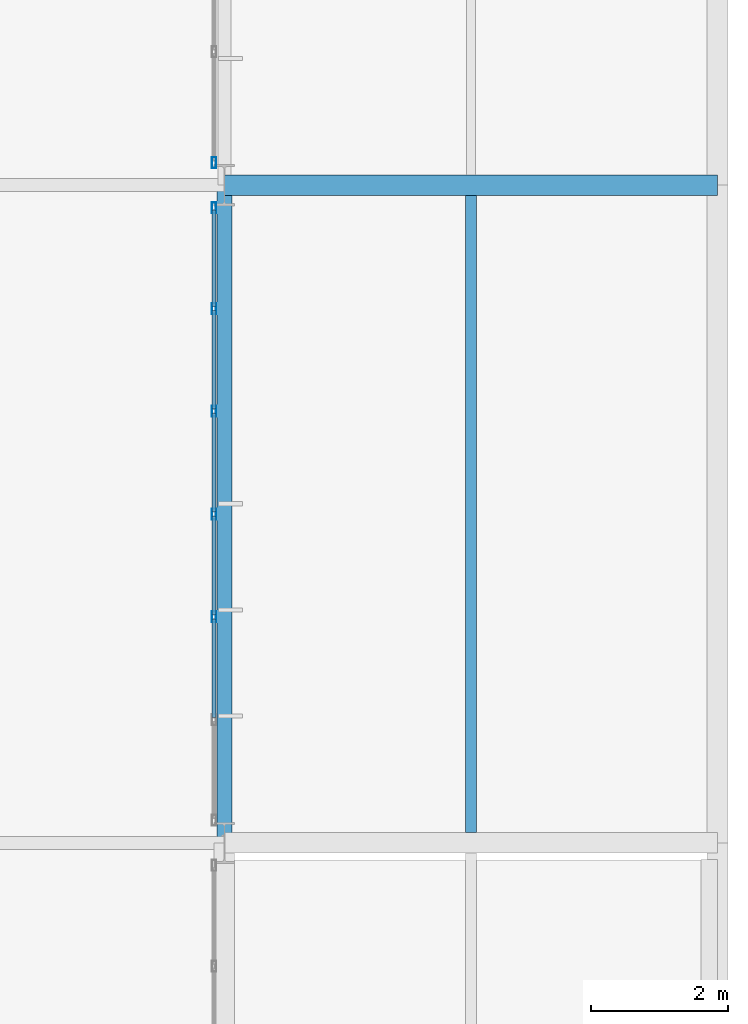
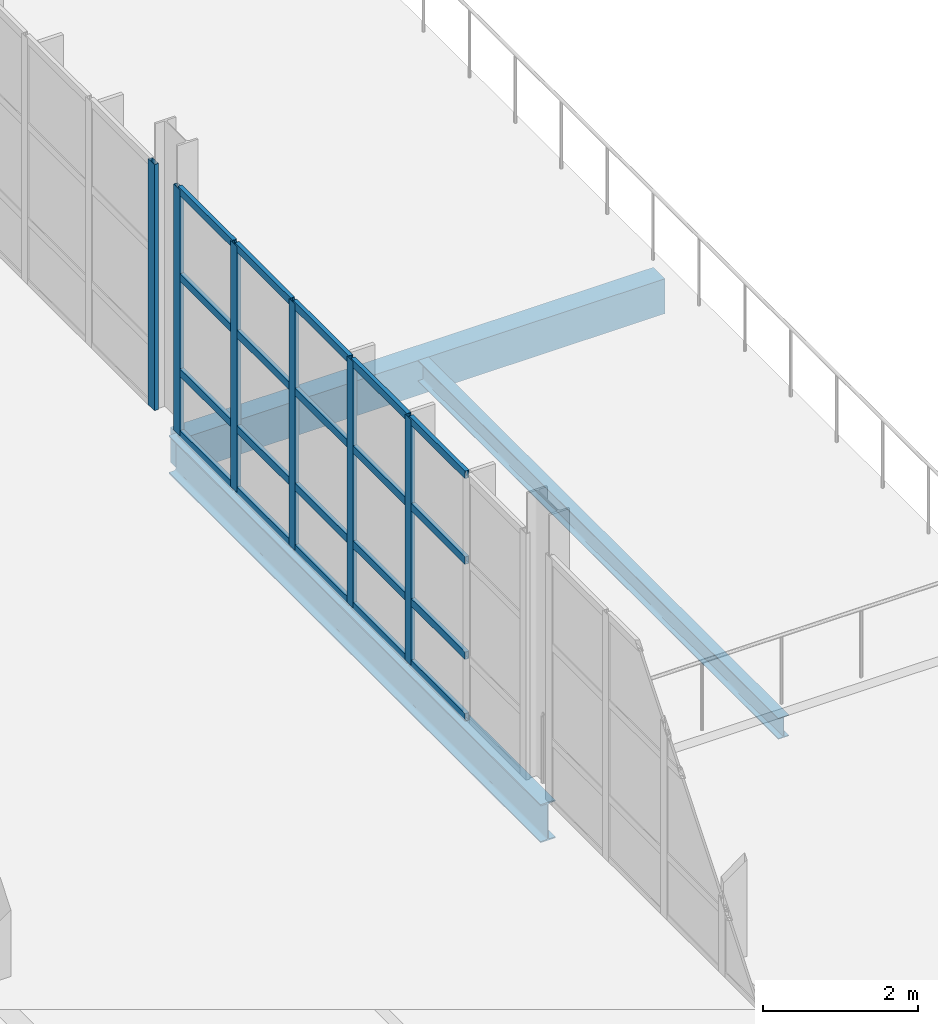
# One storey, part 71 of 109: 26 members, 3 beams, 2 elements without a shape of their own.
"""IFC4 building model written with IfcOpenShell, lengths in metres."""

from ifc_helpers import new_model, si_unit, direction, frame, origin, origin_2d, place, context, subcontext, project, spatial, rectangle, hollow_rectangle, i_section, extrude, material, material_profile, profile_set, type_object, element, aggregate, save


model = new_model("IFC4")

# Units and contexts
model_context = context("Model", 3, precision=1e-05, world=origin(), true_north=direction((0.0, 1.0)))
body_context = subcontext(model_context, "Body", "Model", "MODEL_VIEW")
ifc_project = project(units=[si_unit("LENGTHUNIT", "METRE"), si_unit("AREAUNIT", "SQUARE_METRE"), si_unit("VOLUMEUNIT", "CUBIC_METRE"), si_unit("PLANEANGLEUNIT", "RADIAN"), si_unit("MASSUNIT", "GRAM", prefix="KILO")], contexts=[model_context])

# Site, building, storey
site_placement = place(None, origin())
site = spatial("IfcSite", under=ifc_project, at=site_placement, CompositionType="ELEMENT")
building_placement = place(site_placement, origin())
building = spatial("IfcBuilding", under=site, at=building_placement, Name="Veltarok Museum of Natural Sciences", CompositionType="ELEMENT")
storey_placement = place(building_placement, frame((0.0, 0.0, 17.39990234375)))
storey = spatial("IfcBuildingStorey", under=building, at=storey_placement, Name="L03", CompositionType="ELEMENT", Elevation=17.39990234375)

# Curtain wall, members
ifc_material_1 = material(Name="Low-iron triple insulated glass", Category="glass")
curtain_wall_type_1 = type_object("IfcCurtainWallType", Name="Curtain Wall System CW-V5E-L03-B-900x388 (V5 East Lab L03 B-C 900x388cm)", PredefinedType="NOTDEFINED", material=ifc_material_1)
curtain_wall_1_placement = place(storey_placement, origin())
curtain_wall_1 = element("IfcCurtainWall", 1, at=curtain_wall_1_placement, inside=storey, type_object=curtain_wall_type_1, Name="Curtain Wall CW-V5E-L03-B-900x388 CW-0116", PredefinedType="NOTDEFINED")
ifc_material_2 = material(Name="Thermally broken anodised aluminium", Category="aluminium")
ifc_material_profile_1 = material_profile(ifc_material_2, hollow_rectangle(XDim=0.06005859375, YDim=0.1201171875, WallThickness=0.0048828125, at=origin_2d()), Name="CW TRANSOM 60x120x5")
ifc_profile_set_1 = profile_set([ifc_material_profile_1], Name="Thermally broken anodised aluminium")
member_type_1 = type_object("IfcMemberType", Name="Curtain Wall Horizontal Transom 60x120x5", PredefinedType="USERDEFINED", material=ifc_profile_set_1)
member_1_placement = place(storey_placement, frame((157.449951171875, 11.429931640625, 0.030029296875), z_axis=(0.0, 1.0, 0.0), x_axis=(-1.0, 0.0, 0.0)))
member_1 = element("IfcMember", 2, at=member_1_placement, type_object=member_type_1, Name="CW-V5E-L03-B-900x388 transom 2.1", ObjectType="TRANSOM", PredefinedType="USERDEFINED", context=body_context, shape_type="SweptSolid", body=[
    extrude(hollow_rectangle(XDim=0.06005859375, YDim=0.1201171875, WallThickness=0.0048828125, at=origin_2d()), origin(), (0.0, 0.0, 1.0), 1.440185546875),
])
member_2_placement = place(storey_placement, frame((157.449951171875, 11.429931640625, 1.0), z_axis=(0.0, 1.0, 0.0), x_axis=(-1.0, 0.0, 0.0)))
member_2 = element("IfcMember", 3, at=member_2_placement, type_object=member_type_1, Name="CW-V5E-L03-B-900x388 transom 2.2", ObjectType="TRANSOM", PredefinedType="USERDEFINED", context=body_context, shape_type="SweptSolid", body=[
    extrude(hollow_rectangle(XDim=0.06005859375, YDim=0.1201171875, WallThickness=0.0048828125, at=origin_2d()), origin(), (0.0, 0.0, 1.0), 1.440185546875),
])
member_3_placement = place(storey_placement, frame((157.449951171875, 11.429931640625, 2.5), z_axis=(0.0, 1.0, 0.0), x_axis=(-1.0, 0.0, 0.0)))
member_3 = element("IfcMember", 4, at=member_3_placement, type_object=member_type_1, Name="CW-V5E-L03-B-900x388 transom 2.3", ObjectType="TRANSOM", PredefinedType="USERDEFINED", context=body_context, shape_type="SweptSolid", body=[
    extrude(hollow_rectangle(XDim=0.06005859375, YDim=0.1201171875, WallThickness=0.0048828125, at=origin_2d()), origin(), (0.0, 0.0, 1.0), 1.440185546875),
])
member_4_placement = place(storey_placement, frame((157.449951171875, 11.429931640625, 3.85009765625), z_axis=(0.0, 1.0, 0.0), x_axis=(-1.0, 0.0, 0.0)))
member_4 = element("IfcMember", 5, at=member_4_placement, type_object=member_type_1, Name="CW-V5E-L03-B-900x388 transom 2.4", ObjectType="TRANSOM", PredefinedType="USERDEFINED", context=body_context, shape_type="SweptSolid", body=[
    extrude(hollow_rectangle(XDim=0.06005859375, YDim=0.1201171875, WallThickness=0.0048828125, at=origin_2d()), origin(), (0.0, 0.0, 1.0), 1.440185546875),
])
member_5_placement = place(storey_placement, frame((157.449951171875, 12.929931640625, 0.030029296875), z_axis=(0.0, 1.0, 0.0), x_axis=(-1.0, 0.0, 0.0)))
member_5 = element("IfcMember", 6, at=member_5_placement, type_object=member_type_1, Name="CW-V5E-L03-B-900x388 transom 3.1", ObjectType="TRANSOM", PredefinedType="USERDEFINED", context=body_context, shape_type="SweptSolid", body=[
    extrude(hollow_rectangle(XDim=0.06005859375, YDim=0.1201171875, WallThickness=0.0048828125, at=origin_2d()), origin(), (0.0, 0.0, 1.0), 1.440185546875),
])
member_6_placement = place(storey_placement, frame((157.449951171875, 12.929931640625, 1.0), z_axis=(0.0, 1.0, 0.0), x_axis=(-1.0, 0.0, 0.0)))
member_6 = element("IfcMember", 7, at=member_6_placement, type_object=member_type_1, Name="CW-V5E-L03-B-900x388 transom 3.2", ObjectType="TRANSOM", PredefinedType="USERDEFINED", context=body_context, shape_type="SweptSolid", body=[
    extrude(hollow_rectangle(XDim=0.06005859375, YDim=0.1201171875, WallThickness=0.0048828125, at=origin_2d()), origin(), (0.0, 0.0, 1.0), 1.440185546875),
])
member_7_placement = place(storey_placement, frame((157.449951171875, 12.929931640625, 2.5), z_axis=(0.0, 1.0, 0.0), x_axis=(-1.0, 0.0, 0.0)))
member_7 = element("IfcMember", 8, at=member_7_placement, type_object=member_type_1, Name="CW-V5E-L03-B-900x388 transom 3.3", ObjectType="TRANSOM", PredefinedType="USERDEFINED", context=body_context, shape_type="SweptSolid", body=[
    extrude(hollow_rectangle(XDim=0.06005859375, YDim=0.1201171875, WallThickness=0.0048828125, at=origin_2d()), origin(), (0.0, 0.0, 1.0), 1.440185546875),
])
member_8_placement = place(storey_placement, frame((157.449951171875, 12.929931640625, 3.85009765625), z_axis=(0.0, 1.0, 0.0), x_axis=(-1.0, 0.0, 0.0)))
member_8 = element("IfcMember", 9, at=member_8_placement, type_object=member_type_1, Name="CW-V5E-L03-B-900x388 transom 3.4", ObjectType="TRANSOM", PredefinedType="USERDEFINED", context=body_context, shape_type="SweptSolid", body=[
    extrude(hollow_rectangle(XDim=0.06005859375, YDim=0.1201171875, WallThickness=0.0048828125, at=origin_2d()), origin(), (0.0, 0.0, 1.0), 1.440185546875),
])
member_9_placement = place(storey_placement, frame((157.449951171875, 14.429931640625, 0.030029296875), z_axis=(0.0, 1.0, 0.0), x_axis=(-1.0, 0.0, 0.0)))
member_9 = element("IfcMember", 10, at=member_9_placement, type_object=member_type_1, Name="CW-V5E-L03-B-900x388 transom 4.1", ObjectType="TRANSOM", PredefinedType="USERDEFINED", context=body_context, shape_type="SweptSolid", body=[
    extrude(hollow_rectangle(XDim=0.06005859375, YDim=0.1201171875, WallThickness=0.0048828125, at=origin_2d()), origin(), (0.0, 0.0, 1.0), 1.440185546875),
])
member_10_placement = place(storey_placement, frame((157.449951171875, 14.429931640625, 1.0), z_axis=(0.0, 1.0, 0.0), x_axis=(-1.0, 0.0, 0.0)))
member_10 = element("IfcMember", 11, at=member_10_placement, type_object=member_type_1, Name="CW-V5E-L03-B-900x388 transom 4.2", ObjectType="TRANSOM", PredefinedType="USERDEFINED", context=body_context, shape_type="SweptSolid", body=[
    extrude(hollow_rectangle(XDim=0.06005859375, YDim=0.1201171875, WallThickness=0.0048828125, at=origin_2d()), origin(), (0.0, 0.0, 1.0), 1.440185546875),
])
member_11_placement = place(storey_placement, frame((157.449951171875, 14.429931640625, 2.5), z_axis=(0.0, 1.0, 0.0), x_axis=(-1.0, 0.0, 0.0)))
member_11 = element("IfcMember", 12, at=member_11_placement, type_object=member_type_1, Name="CW-V5E-L03-B-900x388 transom 4.3", ObjectType="TRANSOM", PredefinedType="USERDEFINED", context=body_context, shape_type="SweptSolid", body=[
    extrude(hollow_rectangle(XDim=0.06005859375, YDim=0.1201171875, WallThickness=0.0048828125, at=origin_2d()), origin(), (0.0, 0.0, 1.0), 1.440185546875),
])
member_12_placement = place(storey_placement, frame((157.449951171875, 14.429931640625, 3.85009765625), z_axis=(0.0, 1.0, 0.0), x_axis=(-1.0, 0.0, 0.0)))
member_12 = element("IfcMember", 13, at=member_12_placement, type_object=member_type_1, Name="CW-V5E-L03-B-900x388 transom 4.4", ObjectType="TRANSOM", PredefinedType="USERDEFINED", context=body_context, shape_type="SweptSolid", body=[
    extrude(hollow_rectangle(XDim=0.06005859375, YDim=0.1201171875, WallThickness=0.0048828125, at=origin_2d()), origin(), (0.0, 0.0, 1.0), 1.440185546875),
])
member_13_placement = place(storey_placement, frame((157.449951171875, 15.929931640625, 0.030029296875), z_axis=(0.0, 1.0, 0.0), x_axis=(-1.0, 0.0, 0.0)))
member_13 = element("IfcMember", 14, at=member_13_placement, type_object=member_type_1, Name="CW-V5E-L03-B-900x388 transom 5.1", ObjectType="TRANSOM", PredefinedType="USERDEFINED", context=body_context, shape_type="SweptSolid", body=[
    extrude(hollow_rectangle(XDim=0.06005859375, YDim=0.1201171875, WallThickness=0.0048828125, at=origin_2d()), origin(), (0.0, 0.0, 1.0), 1.440185546875),
])
member_14_placement = place(storey_placement, frame((157.449951171875, 15.929931640625, 1.0), z_axis=(0.0, 1.0, 0.0), x_axis=(-1.0, 0.0, 0.0)))
member_14 = element("IfcMember", 15, at=member_14_placement, type_object=member_type_1, Name="CW-V5E-L03-B-900x388 transom 5.2", ObjectType="TRANSOM", PredefinedType="USERDEFINED", context=body_context, shape_type="SweptSolid", body=[
    extrude(hollow_rectangle(XDim=0.06005859375, YDim=0.1201171875, WallThickness=0.0048828125, at=origin_2d()), origin(), (0.0, 0.0, 1.0), 1.440185546875),
])
member_15_placement = place(storey_placement, frame((157.449951171875, 15.929931640625, 2.5), z_axis=(0.0, 1.0, 0.0), x_axis=(-1.0, 0.0, 0.0)))
member_15 = element("IfcMember", 16, at=member_15_placement, type_object=member_type_1, Name="CW-V5E-L03-B-900x388 transom 5.3", ObjectType="TRANSOM", PredefinedType="USERDEFINED", context=body_context, shape_type="SweptSolid", body=[
    extrude(hollow_rectangle(XDim=0.06005859375, YDim=0.1201171875, WallThickness=0.0048828125, at=origin_2d()), origin(), (0.0, 0.0, 1.0), 1.440185546875),
])
member_16_placement = place(storey_placement, frame((157.449951171875, 15.929931640625, 3.85009765625), z_axis=(0.0, 1.0, 0.0), x_axis=(-1.0, 0.0, 0.0)))
member_16 = element("IfcMember", 17, at=member_16_placement, type_object=member_type_1, Name="CW-V5E-L03-B-900x388 transom 5.4", ObjectType="TRANSOM", PredefinedType="USERDEFINED", context=body_context, shape_type="SweptSolid", body=[
    extrude(hollow_rectangle(XDim=0.06005859375, YDim=0.1201171875, WallThickness=0.0048828125, at=origin_2d()), origin(), (0.0, 0.0, 1.0), 1.440185546875),
])
member_17_placement = place(storey_placement, frame((157.449951171875, 17.429931640625, 0.030029296875), z_axis=(0.0, 1.0, 0.0), x_axis=(-1.0, 0.0, 0.0)))
member_17 = element("IfcMember", 18, at=member_17_placement, type_object=member_type_1, Name="CW-V5E-L03-B-900x388 transom 6.1", ObjectType="TRANSOM", PredefinedType="USERDEFINED", context=body_context, shape_type="SweptSolid", body=[
    extrude(hollow_rectangle(XDim=0.06005859375, YDim=0.1201171875, WallThickness=0.0048828125, at=origin_2d()), origin(), (0.0, 0.0, 1.0), 1.41015625),
])
member_18_placement = place(storey_placement, frame((157.449951171875, 17.429931640625, 1.0), z_axis=(0.0, 1.0, 0.0), x_axis=(-1.0, 0.0, 0.0)))
member_18 = element("IfcMember", 19, at=member_18_placement, type_object=member_type_1, Name="CW-V5E-L03-B-900x388 transom 6.2", ObjectType="TRANSOM", PredefinedType="USERDEFINED", context=body_context, shape_type="SweptSolid", body=[
    extrude(hollow_rectangle(XDim=0.06005859375, YDim=0.1201171875, WallThickness=0.0048828125, at=origin_2d()), origin(), (0.0, 0.0, 1.0), 1.41015625),
])
member_19_placement = place(storey_placement, frame((157.449951171875, 17.429931640625, 2.5), z_axis=(0.0, 1.0, 0.0), x_axis=(-1.0, 0.0, 0.0)))
member_19 = element("IfcMember", 20, at=member_19_placement, type_object=member_type_1, Name="CW-V5E-L03-B-900x388 transom 6.3", ObjectType="TRANSOM", PredefinedType="USERDEFINED", context=body_context, shape_type="SweptSolid", body=[
    extrude(hollow_rectangle(XDim=0.06005859375, YDim=0.1201171875, WallThickness=0.0048828125, at=origin_2d()), origin(), (0.0, 0.0, 1.0), 1.41015625),
])
member_20_placement = place(storey_placement, frame((157.449951171875, 17.429931640625, 3.85009765625), z_axis=(0.0, 1.0, 0.0), x_axis=(-1.0, 0.0, 0.0)))
member_20 = element("IfcMember", 21, at=member_20_placement, type_object=member_type_1, Name="CW-V5E-L03-B-900x388 transom 6.4", ObjectType="TRANSOM", PredefinedType="USERDEFINED", context=body_context, shape_type="SweptSolid", body=[
    extrude(hollow_rectangle(XDim=0.06005859375, YDim=0.1201171875, WallThickness=0.0048828125, at=origin_2d()), origin(), (0.0, 0.0, 1.0), 1.41015625),
])
ifc_material_profile_2 = material_profile(ifc_material_2, hollow_rectangle(XDim=0.06005859375, YDim=0.159912109375, WallThickness=0.0048828125, at=origin_2d()), Name="CW MULLION 60x160x5")
ifc_profile_set_2 = profile_set([ifc_material_profile_2], Name="Thermally broken anodised aluminium")
member_type_2 = type_object("IfcMemberType", Name="Curtain Wall Vertical Mullion 60x160x5", PredefinedType="MULLION", material=ifc_profile_set_2)
member_21_placement = place(storey_placement, frame((157.449951171875, 12.89990234375, 0.0), z_axis=(0.0, 0.0, 1.0), x_axis=(-1.0, 0.0, 0.0)))
member_21 = element("IfcMember", 22, at=member_21_placement, type_object=member_type_2, Name="CW-V5E-L03-B-900x388 mullion 3", PredefinedType="MULLION", context=body_context, shape_type="SweptSolid", body=[
    extrude(hollow_rectangle(XDim=0.06005859375, YDim=0.159912109375, WallThickness=0.0048828125, at=origin_2d()), origin(), (0.0, 0.0, 1.0), 3.880126953125),
])
member_22_placement = place(storey_placement, frame((157.449951171875, 14.39990234375, 0.0), z_axis=(0.0, 0.0, 1.0), x_axis=(-1.0, 0.0, 0.0)))
member_22 = element("IfcMember", 23, at=member_22_placement, type_object=member_type_2, Name="CW-V5E-L03-B-900x388 mullion 4", PredefinedType="MULLION", context=body_context, shape_type="SweptSolid", body=[
    extrude(hollow_rectangle(XDim=0.06005859375, YDim=0.159912109375, WallThickness=0.0048828125, at=origin_2d()), origin(), (0.0, 0.0, 1.0), 3.880126953125),
])
member_23_placement = place(storey_placement, frame((157.449951171875, 15.89990234375, 0.0), z_axis=(0.0, 0.0, 1.0), x_axis=(-1.0, 0.0, 0.0)))
member_23 = element("IfcMember", 24, at=member_23_placement, type_object=member_type_2, Name="CW-V5E-L03-B-900x388 mullion 5", PredefinedType="MULLION", context=body_context, shape_type="SweptSolid", body=[
    extrude(hollow_rectangle(XDim=0.06005859375, YDim=0.159912109375, WallThickness=0.0048828125, at=origin_2d()), origin(), (0.0, 0.0, 1.0), 3.880126953125),
])
member_24_placement = place(storey_placement, frame((157.449951171875, 17.39990234375, 0.0), z_axis=(0.0, 0.0, 1.0), x_axis=(-1.0, 0.0, 0.0)))
member_24 = element("IfcMember", 25, at=member_24_placement, type_object=member_type_2, Name="CW-V5E-L03-B-900x388 mullion 6", PredefinedType="MULLION", context=body_context, shape_type="SweptSolid", body=[
    extrude(hollow_rectangle(XDim=0.06005859375, YDim=0.159912109375, WallThickness=0.0048828125, at=origin_2d()), origin(), (0.0, 0.0, 1.0), 3.880126953125),
])
member_25_placement = place(storey_placement, frame((157.449951171875, 18.8701171875, 0.0), z_axis=(0.0, 0.0, 1.0), x_axis=(-1.0, 0.0, 0.0)))
member_25 = element("IfcMember", 26, at=member_25_placement, type_object=member_type_2, Name="CW-V5E-L03-B-900x388 mullion 7", PredefinedType="MULLION", context=body_context, shape_type="SweptSolid", body=[
    extrude(hollow_rectangle(XDim=0.06005859375, YDim=0.159912109375, WallThickness=0.0048828125, at=origin_2d()), origin(), (0.0, 0.0, 1.0), 3.880126953125),
])
aggregate(curtain_wall_1, [member_21, member_22, member_23, member_24, member_25, member_1, member_2, member_3, member_4, member_5, member_6, member_7, member_8, member_9, member_10, member_11, member_12, member_13, member_14, member_15, member_16, member_17, member_18, member_19, member_20])

# Curtain wall, member
curtain_wall_type_2 = type_object("IfcCurtainWallType", Name="Curtain Wall System CW-V5E-L03-C-660x388 (V5 East Lab L03 C-D 660x388cm)", PredefinedType="NOTDEFINED", material=ifc_material_1)
curtain_wall_2_placement = place(storey_placement, origin())
curtain_wall_2 = element("IfcCurtainWall", 27, at=curtain_wall_2_placement, inside=storey, type_object=curtain_wall_type_2, Name="Curtain Wall CW-V5E-L03-C-660x388 CW-0117", PredefinedType="NOTDEFINED")
member_26_placement = place(storey_placement, frame((157.449951171875, 19.530029296875, 0.0), z_axis=(0.0, 0.0, 1.0), x_axis=(-1.0, 0.0, 0.0)))
member_26 = element("IfcMember", 28, at=member_26_placement, type_object=member_type_2, Name="CW-V5E-L03-C-660x388 mullion 1", PredefinedType="MULLION", context=body_context, shape_type="SweptSolid", body=[
    extrude(hollow_rectangle(XDim=0.06005859375, YDim=0.159912109375, WallThickness=0.0048828125, at=origin_2d()), origin(), (0.0, 0.0, 1.0), 3.880126953125),
])
aggregate(curtain_wall_2, [member_26])

# Beams
ifc_material_3 = material(Name="Precast concrete C40/50", Category="concrete")
ifc_material_profile_3 = material_profile(ifc_material_3, rectangle(XDim=0.300048828125, YDim=0.550048828125, at=origin_2d()), Name="RC 300x550")
ifc_profile_set_3 = profile_set([ifc_material_profile_3], Name="Precast concrete C40/50")
beam_type_1 = type_object("IfcBeamType", Name="East Wing Precast Spandrel RC 300x550", PredefinedType="SPANDREL", material=ifc_profile_set_3)
beam_1_placement = place(storey_placement, frame((157.60009765625, 19.199951171875, -0.534912109375), z_axis=(1.0, 0.0, 0.0), x_axis=(0.0, 1.0, 0.0)))
element("IfcBeam", 29, at=beam_1_placement, inside=storey, type_object=beam_type_1, Name="Beam BM-SP02 L03 19-20/C", PredefinedType="SPANDREL", context=body_context, shape_type="SweptSolid", body=[
    extrude(rectangle(XDim=0.300048828125, YDim=0.550048828125, at=origin_2d()), origin(), (0.0, 0.0, 1.0), 7.199951171875),
])
ifc_material_4 = material(Name="Steel S355J2", Category="steel")
ifc_material_profile_4 = material_profile(ifc_material_4, i_section(OverallWidth=0.159912109375, OverallDepth=0.330078125, WebThickness=0.007568359375, FlangeThickness=0.011474609375, FilletRadius=0.01806640625, at=origin_2d()), Name="IPE 330")
ifc_profile_set_4 = profile_set([ifc_material_profile_4], Name="Steel S355J2")
beam_type_2 = type_object("IfcBeamType", Name="Medium-Bay Composite Joist IPE 330", PredefinedType="JOIST", material=ifc_profile_set_4)
beam_2_placement = place(storey_placement, frame((161.199951171875, 9.748046875, -0.4248046875), z_axis=(0.0, 1.0, 0.0), x_axis=(-1.0, 0.0, 0.0)))
element("IfcBeam", 30, at=beam_2_placement, inside=storey, type_object=beam_type_2, Name="Secondary Joist BM-J02 L03 19-20/B-C.1", PredefinedType="JOIST", context=body_context, shape_type="SweptSolid", body=[
    extrude(i_section(OverallWidth=0.159912109375, OverallDepth=0.330078125, WebThickness=0.007568359375, FlangeThickness=0.011474609375, FilletRadius=0.01806640625, at=origin_2d()), origin(), (0.0, 0.0, 1.0), 9.303955078125),
])
ifc_material_profile_5 = material_profile(ifc_material_4, i_section(OverallWidth=0.219970703125, OverallDepth=0.60009765625, WebThickness=0.011962890625, FlangeThickness=0.01904296875, FilletRadius=0.02392578125, at=origin_2d()), Name="IPE 600")
ifc_profile_set_5 = profile_set([ifc_material_profile_5], Name="Steel S355J2")
beam_type_3 = type_object("IfcBeamType", Name="Primary Museum Girder IPE 600", PredefinedType="BEAM", material=ifc_profile_set_5)
beam_3_placement = place(storey_placement, frame((157.60009765625, 9.60009765625, -0.559814453125), z_axis=(0.0, 1.0, 0.0), x_axis=(-1.0, 0.0, 0.0)))
element("IfcBeam", 31, at=beam_3_placement, inside=storey, type_object=beam_type_3, Name="Beam BM-G02 L03 19/B-C", PredefinedType="BEAM", context=body_context, shape_type="SweptSolid", body=[
    extrude(i_section(OverallWidth=0.219970703125, OverallDepth=0.60009765625, WebThickness=0.011962890625, FlangeThickness=0.01904296875, FilletRadius=0.02392578125, at=origin_2d()), origin(), (0.0, 0.0, 1.0), 9.599853515625),
])

save(model, "model.ifc")
